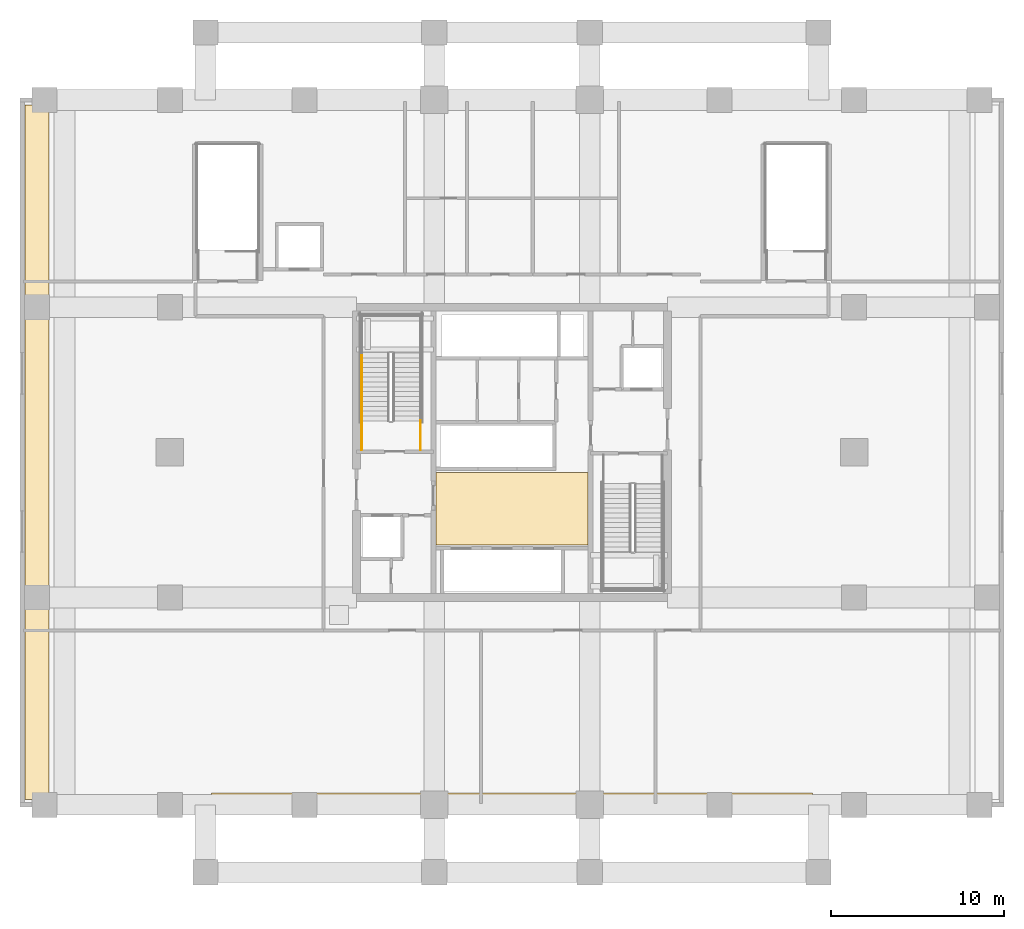
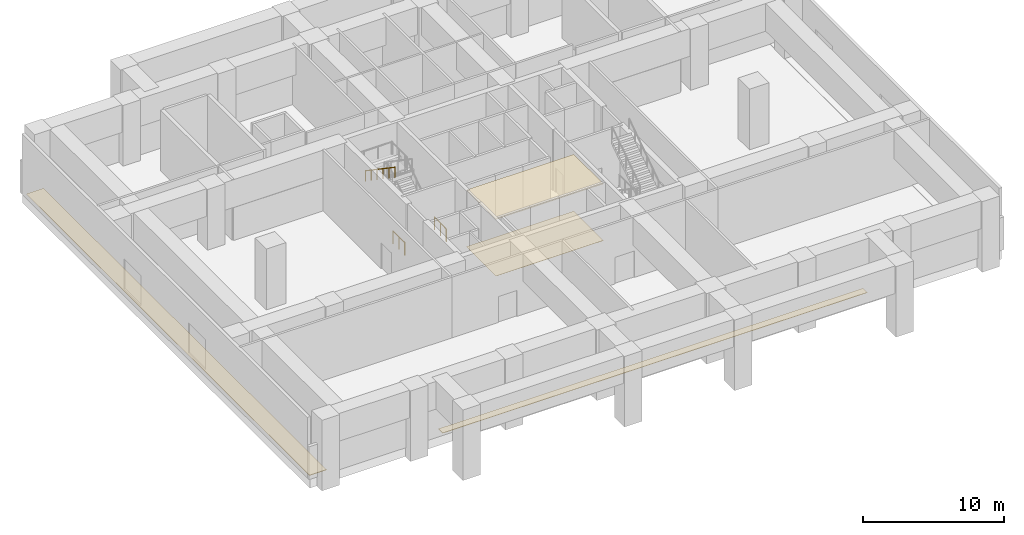
# One storey, part 7 of 9: 4 coverings, 3 railings.
"""IFC4 building model written with IfcOpenShell, lengths in metres."""

from ifc_helpers import new_model, si_unit, direction, frame, origin, origin_2d, place, context, subcontext, project, spatial, polyline, circle, outline, extrude, material, layer, layer_set, type_object, element, save


model = new_model("IFC4")

# Units and contexts
model_context = context("Model", 3, precision=1e-05, world=origin(), true_north=direction((0.0, 1.0)))
body_context = subcontext(model_context, "Body", "Model", "MODEL_VIEW")
ifc_project = project(units=[si_unit("LENGTHUNIT", "METRE"), si_unit("AREAUNIT", "SQUARE_METRE"), si_unit("VOLUMEUNIT", "CUBIC_METRE"), si_unit("PLANEANGLEUNIT", "RADIAN"), si_unit("MASSUNIT", "GRAM", prefix="KILO")], contexts=[model_context])

# Site, building, storey
site_placement = place(None, origin())
site = spatial("IfcSite", under=ifc_project, at=site_placement, CompositionType="ELEMENT")
building_placement = place(site_placement, origin())
building = spatial("IfcBuilding", under=site, at=building_placement, Name="Serunith Strait Residences", CompositionType="ELEMENT")
storey_placement = place(building_placement, frame((0.0, 0.0, 21.0)))
storey = spatial("IfcBuildingStorey", under=building, at=storey_placement, Name="L04", CompositionType="ELEMENT", Elevation=21.0)

# Coverings
ifc_material_1 = material(Name="Perforated acoustic gypsum ceiling tile")
ifc_layer_1 = layer(ifc_material_1, 0.02490234375, Name="Perforated acoustic gypsum ceiling tile")
ifc_layer_set_1 = layer_set([ifc_layer_1], Name="Perforated acoustic gypsum ceiling tile")
covering_type_1 = type_object("IfcCoveringType", Name="COV-CEIL-AC60", PredefinedType="CEILING", material=ifc_layer_set_1)
covering_1_placement = place(storey_placement, frame((0.0, 0.0, 4.909912109375)))
element("IfcCovering", 1, at=covering_1_placement, inside=storey, type_object=covering_type_1, Name="L04 Lift Lobby Acoustic Ceiling", PredefinedType="CEILING", context=body_context, shape_type="SweptSolid", body=[
    extrude(outline(polyline([(28.0, 19.85009765625), (36.800048828125, 19.85009765625), (36.800048828125, 24.050048828125), (28.0, 24.050048828125), (28.0, 19.85009765625)])), origin(), (0.0, 0.0, 1.0), 0.025146484375),
])
ifc_material_2 = material(Name="Honed limestone terrazzo flooring", Category="masonry")
ifc_layer_2 = layer(ifc_material_2, 0.02001953125, Name="Honed limestone terrazzo flooring")
ifc_layer_set_2 = layer_set([ifc_layer_2], Name="Honed limestone terrazzo flooring")
covering_type_2 = type_object("IfcCoveringType", Name="COV-FLOOR-TER40", PredefinedType="FLOORING", material=ifc_layer_set_2)
covering_2_placement = place(storey_placement, origin())
element("IfcCovering", 2, at=covering_2_placement, inside=storey, type_object=covering_type_2, Name="L04 Lift Lobby Terrazzo Flooring", PredefinedType="FLOORING", context=body_context, shape_type="SweptSolid", body=[
    extrude(outline(polyline([(28.0, 19.85009765625), (36.800048828125, 19.85009765625), (36.800048828125, 24.050048828125), (28.0, 24.050048828125), (28.0, 19.85009765625)])), origin(), (0.0, 0.0, 1.0), 0.02001953125),
])
ifc_material_3 = material(Name="EPDM & Inverted Stone Ballast Waterproofing Membrane", Category="masonry")
ifc_layer_3 = layer(ifc_material_3, 0.034912109375, Name="EPDM & Inverted Stone Ballast Waterproofing Membrane")
ifc_layer_set_3 = layer_set([ifc_layer_3], Name="EPDM & Inverted Stone Ballast Waterproofing Membrane")
covering_type_3 = type_object("IfcCoveringType", Name="COV-ROOF-MEMB", PredefinedType="ROOFING", material=ifc_layer_set_3)
covering_3_placement = place(storey_placement, origin())
element("IfcCovering", 3, at=covering_3_placement, inside=storey, type_object=covering_type_3, Name="L04 Setback Roof Waterproofing Membrane 04", PredefinedType="ROOFING", context=body_context, shape_type="SweptSolid", body=[
    extrude(outline(polyline([(4.199951171875, 5.10009765625), (5.60009765625, 5.10009765625), (5.60009765625, 45.300048828125), (4.199951171875, 45.300048828125), (4.199951171875, 5.10009765625)])), origin(), (0.0, 0.0, 1.0), 0.034912109375),
])
covering_4_placement = place(storey_placement, origin())
element("IfcCovering", 4, at=covering_4_placement, inside=storey, type_object=covering_type_3, Name="L04 Setback Roof Waterproofing Membrane 06", PredefinedType="ROOFING", context=body_context, shape_type="SweptSolid", body=[
    extrude(outline(polyline([(15.0, 4.89990234375), (49.800048828125, 4.89990234375), (49.800048828125, 5.5), (15.0, 5.5), (15.0, 4.89990234375)])), origin(), (0.0, 0.0, 1.0), 0.034912109375),
])

# Railings
ifc_material_4 = material(Name="Brushed stainless steel 316L", Category="steel")
railing_type_1 = type_object("IfcRailingType", Name="RLG-STAIR-GUARD", PredefinedType="BALUSTRADE", material=ifc_material_4)
for number, where, name in (
    (5, (27.10009765625, 25.35009765625, 0.0), "L04 ST-1 stair guard 8"),
    (6, (23.699951171875, 25.35009765625, 0.0), "L04 ST-1 stair guard 9"),
):
    element("IfcRailing", number, at=place(storey_placement, frame(where)), inside=storey, type_object=railing_type_1, Name=name, PredefinedType="BALUSTRADE", context=body_context, shape_type="SweptSolid", body=[
        extrude(circle(Radius=0.02392578125, at=origin_2d()), frame((0.0, 0.001953125, 1.076171875), z_axis=(0.0, 1.0, 0.0), x_axis=(-1.0, 0.0, 0.0)), (0.0, 0.0, 1.0), 1.676025390625),
        extrude(circle(Radius=0.02099609375, at=origin_2d()), origin(), (0.0, 0.0, 1.0), 1.050048828125),
        extrude(circle(Radius=0.02099609375, at=origin_2d()), frame((0.0, 0.83984375, 0.0)), (0.0, 0.0, 1.0), 1.050048828125),
        extrude(circle(Radius=0.02099609375, at=origin_2d()), frame((0.0, 1.679931640625, 0.0)), (0.0, 0.0, 1.0), 1.050048828125),
    ])
railing_type_2 = type_object("IfcRailingType", Name="RLG-STAIR-HR", PredefinedType="HANDRAIL", material=ifc_material_4)
railing_placement = place(storey_placement, frame((23.699951171875, 30.949951171875, 3.0400390625)))
element("IfcRailing", 7, at=railing_placement, inside=storey, type_object=railing_type_2, Name="L04 ST-1 stair handrail 2", PredefinedType="HANDRAIL", context=body_context, shape_type="SweptSolid", body=[
    extrude(circle(Radius=0.02392578125, at=origin_2d()), frame((0.0, -0.001708984375, 0.876953125), z_axis=(0.0, -0.827016801072, 0.562177205821), x_axis=(1.0, 0.0, 0.0)), (0.0, 0.0, 1.0), 5.074462890625),
    extrude(circle(Radius=0.02099609375, at=origin_2d()), origin(), (0.0, 0.0, 1.0), 0.849853515625),
    extrude(circle(Radius=0.02099609375, at=origin_2d()), frame((0.0, -0.840087890625, 0.571044921875)), (0.0, 0.0, 1.0), 0.849853515625),
    extrude(circle(Radius=0.02099609375, at=origin_2d()), frame((0.0, -1.679931640625, 1.14208984375)), (0.0, 0.0, 1.0), 0.849853515625),
    extrude(circle(Radius=0.02099609375, at=origin_2d()), frame((0.0, -2.52001953125, 1.712890625)), (0.0, 0.0, 1.0), 0.849853515625),
    extrude(circle(Radius=0.02099609375, at=origin_2d()), frame((0.0, -3.35986328125, 2.283935546875)), (0.0, 0.0, 1.0), 0.849853515625),
    extrude(circle(Radius=0.02099609375, at=origin_2d()), frame((0.0, -4.199951171875, 2.85498046875)), (0.0, 0.0, 1.0), 0.849853515625),
])

save(model, "model.ifc")
